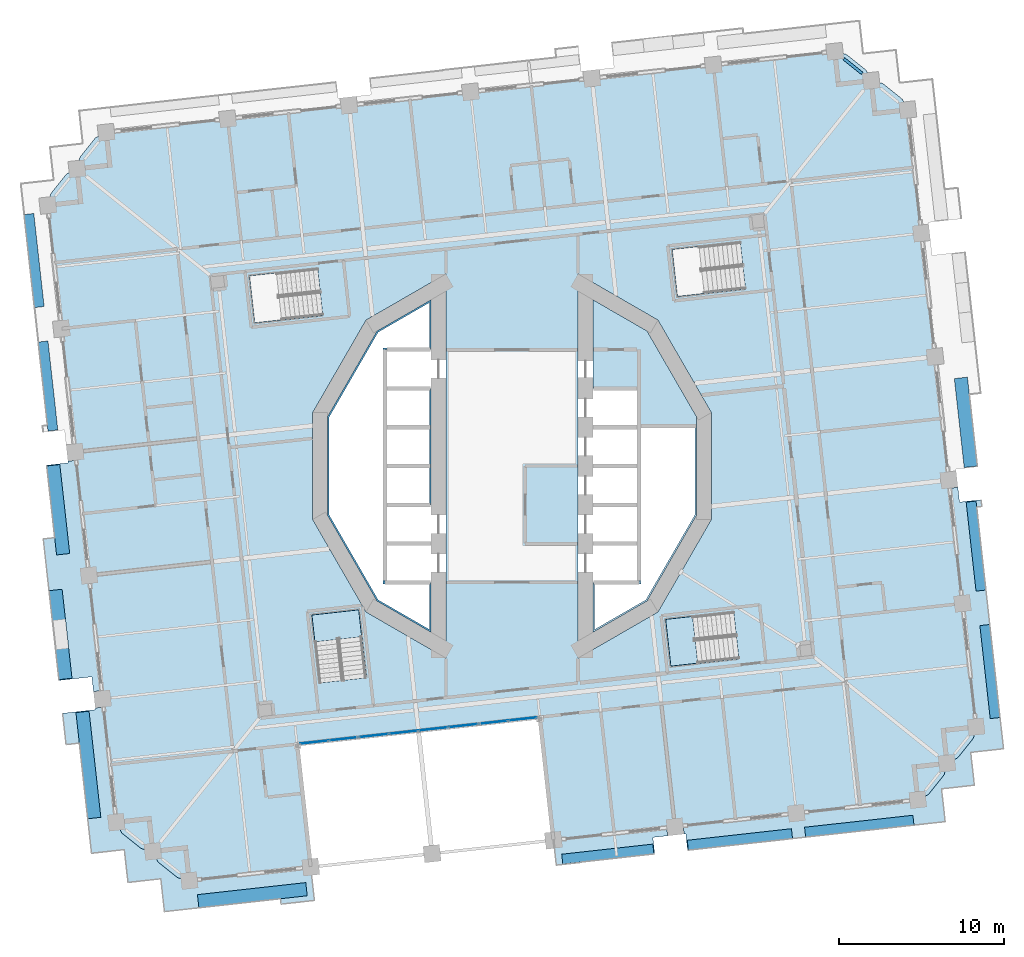
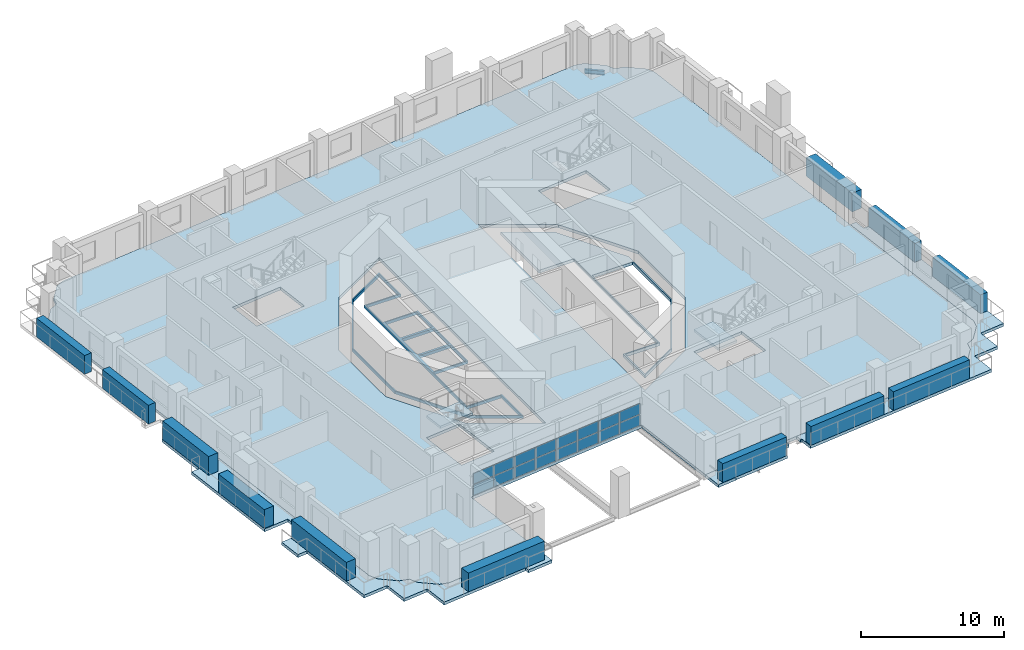
# One storey, part 5 of 21: 28 plates, 9 slabs, 1 beam, 3 elements without a shape of their own.
"""IFC4 building model written with IfcOpenShell, lengths in metres."""

from ifc_helpers import new_model, si_unit, direction, frame, origin, origin_2d, place, context, subcontext, project, spatial, polyline, rectangle, i_section, outline, extrude, material, layer, layer_set, material_profile, profile_set, type_object, element, aggregate, save


model = new_model("IFC4")

# Units and contexts
model_context = context("Model", 3, precision=1e-05, world=origin(), true_north=direction((0.0, 1.0)))
body_context = subcontext(model_context, "Body", "Model", "MODEL_VIEW")
ifc_project = project(units=[si_unit("LENGTHUNIT", "METRE"), si_unit("AREAUNIT", "SQUARE_METRE"), si_unit("VOLUMEUNIT", "CUBIC_METRE"), si_unit("PLANEANGLEUNIT", "RADIAN"), si_unit("MASSUNIT", "GRAM", prefix="KILO")], contexts=[model_context])

# Site, building, storey
site_placement = place(None, origin())
site = spatial("IfcSite", under=ifc_project, at=site_placement, CompositionType="ELEMENT")
building_placement = place(site_placement, origin())
building = spatial("IfcBuilding", under=site, at=building_placement, Name="Cantera Rosa Tower", CompositionType="ELEMENT")
storey_placement = place(building_placement, frame((0.0, 0.0, 80.5)))
storey = spatial("IfcBuildingStorey", under=building, at=storey_placement, Name="L17", CompositionType="ELEMENT", Elevation=80.5)

# Beam
ifc_material_1 = material(Name="Steel ASTM A992 (Fy 345 MPa)", Category="steel")
ifc_material_profile = material_profile(ifc_material_1, i_section(OverallWidth=0.1708984375, OverallDepth=0.35595703125, WebThickness=0.00732421875, FlangeThickness=0.01171875, FilletRadius=0.010009765625, at=origin_2d()), Name="W360X51")
ifc_profile_set = profile_set([ifc_material_profile], Name="Steel ASTM A992 (Fy 345 MPa)")
beam_type = type_object("IfcBeamType", Name="STEEL SPANDREL BEAM W360X51", PredefinedType="SPANDREL", material=ifc_profile_set)
beam_placement = place(storey_placement, frame((21.205810546875, 23.784423828125, -0.427978515625), z_axis=(-0.780818280208, 0.624758203863, 0.0), x_axis=(-0.624758203863, -0.780818280208, 0.0)))
element("IfcBeam", 1, at=beam_placement, inside=storey, type_object=beam_type, Name="EB-Z1-07 L17", PredefinedType="SPANDREL", context=body_context, shape_type="SweptSolid", body=[
    extrude(i_section(OverallWidth=0.1708984375, OverallDepth=0.35595703125, WebThickness=0.00732421875, FlangeThickness=0.01171875, FilletRadius=0.010009765625, at=origin_2d()), origin(), (0.0, 0.0, 1.0), 1.414306640625),
])

# Slabs
ifc_material_2 = material(Name="Concrete C35/45", Category="concrete")
ifc_layer_1 = layer(ifc_material_2, 0.25)
ifc_layer_set_1 = layer_set([ifc_layer_1], Name="COMPOSITE FLOOR SLAB 250 C35/45")
slab_type_1 = type_object("IfcSlabType", Name="COMPOSITE FLOOR SLAB 250 C35/45", PredefinedType="FLOOR", material=ifc_layer_set_1)
slab_1_placement = place(storey_placement, frame((0.0, 0.0, -0.25)))
element("IfcSlab", 2, at=slab_1_placement, inside=storey, type_object=slab_type_1, Name="SLAB L17 floor 1", PredefinedType="FLOOR", context=body_context, shape_type="SweptSolid", body=[
    extrude(outline(polyline([(-7.699951171875, -4.699951171875), (-7.699951171875, -7.050048828125), (-4.89990234375, -7.050048828125), (-4.89990234375, -10.07373046875), (-8.179931640625, -8.179931640625), (-11.174072265625, -2.994140625), (-11.174072265625, 2.994140625), (-8.179931640625, 8.179931640625), (-4.89990234375, 10.07373046875), (-4.89990234375, 7.050048828125), (-7.699951171875, 7.050048828125), (-7.699951171875, 4.699951171875), (-4.89990234375, 4.699951171875), (-4.89990234375, -2.35009765625), (-7.699951171875, -2.35009765625), (-7.699951171875, -4.699951171875)]), holes=[polyline([(-7.60009765625, -0.10009765625), (-7.60009765625, -2.25), (-5.0, -2.25), (-5.0, -0.10009765625), (-7.60009765625, -0.10009765625)]), polyline([(-7.800048828125, 2.449951171875), (-7.800048828125, 7.14990234375), (-5.0, 7.14990234375), (-5.0, 9.900390625), (-8.106689453125, 8.106689453125), (-11.07421875, 2.96728515625), (-11.07421875, -2.96728515625), (-8.106689453125, -8.106689453125), (-5.0, -9.900390625), (-5.0, -7.14990234375), (-7.800048828125, -7.14990234375), (-7.800048828125, -2.449951171875), (-7.800048828125, -2.25), (-7.800048828125, 2.25), (-7.800048828125, 2.449951171875)]), polyline([(-7.60009765625, 0.10009765625), (-5.0, 0.10009765625), (-5.0, 2.25), (-7.60009765625, 2.25), (-7.60009765625, 0.10009765625)]), polyline([(-7.60009765625, 2.449951171875), (-5.0, 2.449951171875), (-5.0, 4.60009765625), (-7.60009765625, 4.60009765625), (-7.60009765625, 2.449951171875)])]), origin(), (0.0, 0.0, 1.0), 0.25),
])
slab_2_placement = place(storey_placement, frame((0.0, 0.0, -0.25)))
element("IfcSlab", 3, at=slab_2_placement, inside=storey, type_object=slab_type_1, Name="SLAB L17 floor 2", PredefinedType="FLOOR", context=body_context, shape_type="SweptSolid", body=[
    extrude(outline(polyline([(-20.288818359375, -24.902099609375), (-21.39306640625, -24.018798828125), (-21.415283203125, -23.999267578125), (-21.435302734375, -23.9775390625), (-21.453125, -23.9541015625), (-21.468505859375, -23.92919921875), (-21.7578125, -23.342529296875), (-22.393310546875, -23.18896484375), (-22.42138671875, -23.179443359375), (-22.447998046875, -23.1669921875), (-22.473388671875, -23.15234375), (-22.497314453125, -23.135009765625), (-23.6015625, -22.25146484375), (-23.62353515625, -22.23193359375), (-23.643798828125, -22.21044921875), (-23.66162109375, -22.18701171875), (-23.677001953125, -22.161865234375), (-23.96630859375, -21.575439453125), (-28.114013671875, 15.795166015625), (-27.960205078125, 16.4306640625), (-27.95068359375, 16.45849609375), (-27.9384765625, 16.4853515625), (-27.923583984375, 16.5107421875), (-27.906494140625, 16.53466796875), (-27.022705078125, 17.638916015625), (-27.00341796875, 17.660888671875), (-26.981689453125, 17.680908203125), (-26.958251953125, 17.69873046875), (-26.933349609375, 17.714111328125), (-26.3466796875, 18.00341796875), (-26.193115234375, 18.63916015625), (-26.18359375, 18.6669921875), (-26.17138671875, 18.693603515625), (-26.156494140625, 18.71923828125), (-26.139404296875, 18.742919921875), (-25.255615234375, 19.84716796875), (-25.236083984375, 19.869384765625), (-25.214599609375, 19.889404296875), (-25.191162109375, 19.9072265625), (-25.166015625, 19.922607421875), (-24.57958984375, 20.2119140625), (18.642578125, 25.00927734375), (19.54931640625, 25.10986328125), (20.18505859375, 24.9560546875), (20.212890625, 24.946533203125), (20.239501953125, 24.934326171875), (20.26513671875, 24.91943359375), (20.288818359375, 24.902099609375), (21.39306640625, 24.018798828125), (21.415283203125, 23.999267578125), (21.435302734375, 23.9775390625), (21.453125, 23.9541015625), (21.468505859375, 23.92919921875), (21.7578125, 23.342529296875), (22.393310546875, 23.18896484375), (22.42138671875, 23.179443359375), (22.447998046875, 23.1669921875), (22.473388671875, 23.15234375), (22.497314453125, 23.135009765625), (23.6015625, 22.25146484375), (23.62353515625, 22.23193359375), (23.643798828125, 22.21044921875), (23.66162109375, 22.18701171875), (23.677001953125, 22.161865234375), (23.96630859375, 21.575439453125), (28.114013671875, -15.795166015625), (27.960205078125, -16.4306640625), (27.95068359375, -16.45849609375), (27.9384765625, -16.4853515625), (27.923583984375, -16.5107421875), (27.906494140625, -16.53466796875), (27.022705078125, -17.638916015625), (27.00341796875, -17.660888671875), (26.981689453125, -17.680908203125), (26.958251953125, -17.69873046875), (26.933349609375, -17.714111328125), (26.3466796875, -18.00341796875), (26.193115234375, -18.63916015625), (26.18359375, -18.6669921875), (26.17138671875, -18.693603515625), (26.156494140625, -18.71923828125), (26.139404296875, -18.742919921875), (25.255615234375, -19.84716796875), (25.236083984375, -19.869384765625), (25.214599609375, -19.889404296875), (25.191162109375, -19.9072265625), (25.166015625, -19.922607421875), (24.57958984375, -20.2119140625), (2.51513671875, -22.660888671875), (1.687744140625, -15.20654296875), (-13.02197265625, -16.839111328125), (-12.194580078125, -24.29345703125), (-18.642578125, -25.00927734375), (-19.54931640625, -25.10986328125), (-20.18505859375, -24.9560546875), (-20.212890625, -24.946533203125), (-20.239501953125, -24.934326171875), (-20.26513671875, -24.91943359375), (-20.288818359375, -24.902099609375)]), holes=[polyline([(-8.83056640625, -12.822265625), (-9.287109375, -8.709716796875), (-12.11962890625, -9.02392578125), (-11.6630859375, -13.13671875), (-8.83056640625, -12.822265625)]), polyline([(-8.8388671875, 8.8388671875), (-12.07421875, 3.235107421875), (-12.07421875, -3.235107421875), (-8.8388671875, -8.8388671875), (-4.0, -11.632568359375), (-4.0, 11.632568359375), (-8.8388671875, 8.8388671875)]), polyline([(-11.46337890625, 9.13671875), (-11.777587890625, 11.969482421875), (-15.890380859375, 11.512939453125), (-15.575927734375, 8.680419921875), (-11.46337890625, 9.13671875)]), polyline([(13.42236328125, -8.83056640625), (9.3095703125, -9.287109375), (9.6240234375, -12.11962890625), (13.73681640625, -11.6630859375), (13.42236328125, -8.83056640625)]), polyline([(8.8388671875, -8.8388671875), (12.07421875, -3.235107421875), (12.07421875, 3.235107421875), (8.8388671875, 8.8388671875), (4.0, 11.632568359375), (4.0, -11.632568359375), (8.8388671875, -8.8388671875)]), polyline([(14.13671875, 10.73681640625), (13.822265625, 13.5693359375), (9.709716796875, 13.11279296875), (10.02392578125, 10.2802734375), (14.13671875, 10.73681640625)])]), origin(), (0.0, 0.0, 1.0), 0.25),
])
slab_3_placement = place(storey_placement, frame((0.0, 0.0, -0.25)))
element("IfcSlab", 4, at=slab_3_placement, inside=storey, type_object=slab_type_1, Name="SLAB L17 floor 3", PredefinedType="FLOOR", context=body_context, shape_type="SweptSolid", body=[
    extrude(outline(polyline([(7.699951171875, 0.0), (7.699951171875, 2.35009765625), (7.699951171875, 4.699951171875), (4.89990234375, 4.699951171875), (4.89990234375, 10.07373046875), (8.179931640625, 8.179931640625), (11.174072265625, 2.994140625), (11.174072265625, -2.994140625), (8.179931640625, -8.179931640625), (4.89990234375, -10.07373046875), (4.89990234375, -7.050048828125), (7.699951171875, -7.050048828125), (7.699951171875, -4.699951171875), (7.699951171875, -2.35009765625), (7.699951171875, 0.0)]), holes=[polyline([(7.800048828125, 2.25), (7.800048828125, -2.25), (7.800048828125, -2.449951171875), (7.800048828125, -7.14990234375), (5.0, -7.14990234375), (5.0, -9.900390625), (8.106689453125, -8.106689453125), (11.07421875, -2.96728515625), (11.07421875, 2.317626953125), (7.800048828125, 2.317626953125), (7.800048828125, 2.25)])]), origin(), (0.0, 0.0, 1.0), 0.25),
])

# Curtain wall, plates
ifc_material_3 = material(Name="Aluminium frame with clear glass", Category="aluminium")
curtain_wall_type = type_object("IfcCurtainWallType", Name="CW1 TERRACE POCKET GLAZING", PredefinedType="NOTDEFINED", material=ifc_material_3)
curtain_wall_placement = place(storey_placement, origin())
curtain_wall = element("IfcCurtainWall", 5, at=curtain_wall_placement, inside=storey, type_object=curtain_wall_type, Name="CW1 CW1", PredefinedType="NOTDEFINED")
ifc_material_4 = material(Name="Aluminium frame with clear glass", Category="aluminium")
ifc_layer_2 = layer(ifc_material_4, 0.028076171875)
ifc_layer_set_2 = layer_set([ifc_layer_2], Name="CW-PANEL POCKET")
plate_type_1 = type_object("IfcPlateType", Name="CW-PANEL POCKET", PredefinedType="CURTAIN_PANEL", material=ifc_layer_set_2)
plate_1_placement = place(storey_placement, frame((-11.97900390625, -16.723388671875, 0.06005859375), z_axis=(0.0, 0.0, 1.0), x_axis=(0.993896946413, 0.110312555543, 0.0)))
plate_1 = element("IfcPlate", 6, at=plate_1_placement, type_object=plate_type_1, Name="CW1 panel 1.1", PredefinedType="CURTAIN_PANEL", context=body_context, shape_type="SweptSolid", body=[
    extrude(rectangle(XDim=1.728759765625, YDim=0.028076171875, at=origin_2d()), origin(), (0.0, 0.0, 1.0), 0.903076171875),
])
plate_2_placement = place(storey_placement, frame((-11.97900390625, -16.723388671875, 1.02294921875), z_axis=(0.0, 0.0, 1.0), x_axis=(0.993896946413, 0.110312555543, 0.0)))
plate_2 = element("IfcPlate", 7, at=plate_2_placement, type_object=plate_type_1, Name="CW1 panel 1.2", PredefinedType="CURTAIN_PANEL", context=body_context, shape_type="SweptSolid", body=[
    extrude(rectangle(XDim=1.728759765625, YDim=0.028076171875, at=origin_2d()), origin(), (0.0, 0.0, 1.0), 0.903076171875),
])
plate_3_placement = place(storey_placement, frame((-10.186279296875, -16.5244140625, 0.06005859375), z_axis=(0.0, 0.0, 1.0), x_axis=(0.993896946413, 0.110312555543, 0.0)))
plate_3 = element("IfcPlate", 8, at=plate_3_placement, type_object=plate_type_1, Name="CW1 panel 2.1", PredefinedType="CURTAIN_PANEL", context=body_context, shape_type="SweptSolid", body=[
    extrude(rectangle(XDim=1.7587890625, YDim=0.028076171875, at=origin_2d()), origin(), (0.0, 0.0, 1.0), 0.903076171875),
])
plate_4_placement = place(storey_placement, frame((-10.186279296875, -16.5244140625, 1.02294921875), z_axis=(0.0, 0.0, 1.0), x_axis=(0.993896946413, 0.110312555543, 0.0)))
plate_4 = element("IfcPlate", 9, at=plate_4_placement, type_object=plate_type_1, Name="CW1 panel 2.2", PredefinedType="CURTAIN_PANEL", context=body_context, shape_type="SweptSolid", body=[
    extrude(rectangle(XDim=1.7587890625, YDim=0.028076171875, at=origin_2d()), origin(), (0.0, 0.0, 1.0), 0.903076171875),
])
plate_5_placement = place(storey_placement, frame((-8.37841796875, -16.323974609375, 0.06005859375), z_axis=(0.0, 0.0, 1.0), x_axis=(0.993896946413, 0.110312555543, 0.0)))
plate_5 = element("IfcPlate", 10, at=plate_5_placement, type_object=plate_type_1, Name="CW1 panel 3.1", PredefinedType="CURTAIN_PANEL", context=body_context, shape_type="SweptSolid", body=[
    extrude(rectangle(XDim=1.7587890625, YDim=0.028076171875, at=origin_2d()), origin(), (0.0, 0.0, 1.0), 0.903076171875),
])
plate_6_placement = place(storey_placement, frame((-8.37841796875, -16.323974609375, 1.02294921875), z_axis=(0.0, 0.0, 1.0), x_axis=(0.993896946413, 0.110312555543, 0.0)))
plate_6 = element("IfcPlate", 11, at=plate_6_placement, type_object=plate_type_1, Name="CW1 panel 3.2", PredefinedType="CURTAIN_PANEL", context=body_context, shape_type="SweptSolid", body=[
    extrude(rectangle(XDim=1.7587890625, YDim=0.028076171875, at=origin_2d()), origin(), (0.0, 0.0, 1.0), 0.903076171875),
])
plate_7_placement = place(storey_placement, frame((-6.57080078125, -16.123291015625, 0.06005859375), z_axis=(0.0, 0.0, 1.0), x_axis=(0.993896946413, 0.110312555543, 0.0)))
plate_7 = element("IfcPlate", 12, at=plate_7_placement, type_object=plate_type_1, Name="CW1 panel 4.1", PredefinedType="CURTAIN_PANEL", context=body_context, shape_type="SweptSolid", body=[
    extrude(rectangle(XDim=1.7587890625, YDim=0.028076171875, at=origin_2d()), origin(), (0.0, 0.0, 1.0), 0.903076171875),
])
plate_8_placement = place(storey_placement, frame((-6.57080078125, -16.123291015625, 1.02294921875), z_axis=(0.0, 0.0, 1.0), x_axis=(0.993896946413, 0.110312555543, 0.0)))
plate_8 = element("IfcPlate", 13, at=plate_8_placement, type_object=plate_type_1, Name="CW1 panel 4.2", PredefinedType="CURTAIN_PANEL", context=body_context, shape_type="SweptSolid", body=[
    extrude(rectangle(XDim=1.7587890625, YDim=0.028076171875, at=origin_2d()), origin(), (0.0, 0.0, 1.0), 0.903076171875),
])
plate_9_placement = place(storey_placement, frame((-4.76318359375, -15.922607421875, 0.06005859375), z_axis=(0.0, 0.0, 1.0), x_axis=(0.993896946413, 0.110312555543, 0.0)))
plate_9 = element("IfcPlate", 14, at=plate_9_placement, type_object=plate_type_1, Name="CW1 panel 5.1", PredefinedType="CURTAIN_PANEL", context=body_context, shape_type="SweptSolid", body=[
    extrude(rectangle(XDim=1.7587890625, YDim=0.028076171875, at=origin_2d()), origin(), (0.0, 0.0, 1.0), 0.903076171875),
])
plate_10_placement = place(storey_placement, frame((-4.76318359375, -15.922607421875, 1.02294921875), z_axis=(0.0, 0.0, 1.0), x_axis=(0.993896946413, 0.110312555543, 0.0)))
plate_10 = element("IfcPlate", 15, at=plate_10_placement, type_object=plate_type_1, Name="CW1 panel 5.2", PredefinedType="CURTAIN_PANEL", context=body_context, shape_type="SweptSolid", body=[
    extrude(rectangle(XDim=1.7587890625, YDim=0.028076171875, at=origin_2d()), origin(), (0.0, 0.0, 1.0), 0.903076171875),
])
plate_11_placement = place(storey_placement, frame((-2.95556640625, -15.721923828125, 0.06005859375), z_axis=(0.0, 0.0, 1.0), x_axis=(0.993896946413, 0.110312555543, 0.0)))
plate_11 = element("IfcPlate", 16, at=plate_11_placement, type_object=plate_type_1, Name="CW1 panel 6.1", PredefinedType="CURTAIN_PANEL", context=body_context, shape_type="SweptSolid", body=[
    extrude(rectangle(XDim=1.7587890625, YDim=0.028076171875, at=origin_2d()), origin(), (0.0, 0.0, 1.0), 0.903076171875),
])
plate_12_placement = place(storey_placement, frame((-2.95556640625, -15.721923828125, 1.02294921875), z_axis=(0.0, 0.0, 1.0), x_axis=(0.993896946413, 0.110312555543, 0.0)))
plate_12 = element("IfcPlate", 17, at=plate_12_placement, type_object=plate_type_1, Name="CW1 panel 6.2", PredefinedType="CURTAIN_PANEL", context=body_context, shape_type="SweptSolid", body=[
    extrude(rectangle(XDim=1.7587890625, YDim=0.028076171875, at=origin_2d()), origin(), (0.0, 0.0, 1.0), 0.903076171875),
])
plate_13_placement = place(storey_placement, frame((-1.14794921875, -15.521240234375, 0.06005859375), z_axis=(0.0, 0.0, 1.0), x_axis=(0.993896946413, 0.110312555543, 0.0)))
plate_13 = element("IfcPlate", 18, at=plate_13_placement, type_object=plate_type_1, Name="CW1 panel 7.1", PredefinedType="CURTAIN_PANEL", context=body_context, shape_type="SweptSolid", body=[
    extrude(rectangle(XDim=1.7587890625, YDim=0.028076171875, at=origin_2d()), origin(), (0.0, 0.0, 1.0), 0.903076171875),
])
plate_14_placement = place(storey_placement, frame((-1.14794921875, -15.521240234375, 1.02294921875), z_axis=(0.0, 0.0, 1.0), x_axis=(0.993896946413, 0.110312555543, 0.0)))
plate_14 = element("IfcPlate", 19, at=plate_14_placement, type_object=plate_type_1, Name="CW1 panel 7.2", PredefinedType="CURTAIN_PANEL", context=body_context, shape_type="SweptSolid", body=[
    extrude(rectangle(XDim=1.7587890625, YDim=0.028076171875, at=origin_2d()), origin(), (0.0, 0.0, 1.0), 0.903076171875),
])
plate_15_placement = place(storey_placement, frame((0.644775390625, -15.322265625, 0.06005859375), z_axis=(0.0, 0.0, 1.0), x_axis=(0.993896946413, 0.110312555543, 0.0)))
plate_15 = element("IfcPlate", 20, at=plate_15_placement, type_object=plate_type_1, Name="CW1 panel 8.1", PredefinedType="CURTAIN_PANEL", context=body_context, shape_type="SweptSolid", body=[
    extrude(rectangle(XDim=1.728759765625, YDim=0.028076171875, at=origin_2d()), origin(), (0.0, 0.0, 1.0), 0.903076171875),
])
plate_16_placement = place(storey_placement, frame((0.644775390625, -15.322265625, 1.02294921875), z_axis=(0.0, 0.0, 1.0), x_axis=(0.993896946413, 0.110312555543, 0.0)))
plate_16 = element("IfcPlate", 21, at=plate_16_placement, type_object=plate_type_1, Name="CW1 panel 8.2", PredefinedType="CURTAIN_PANEL", context=body_context, shape_type="SweptSolid", body=[
    extrude(rectangle(XDim=1.728759765625, YDim=0.028076171875, at=origin_2d()), origin(), (0.0, 0.0, 1.0), 0.903076171875),
])
aggregate(curtain_wall, [plate_1, plate_2, plate_3, plate_4, plate_5, plate_6, plate_7, plate_8, plate_9, plate_10, plate_11, plate_12, plate_13, plate_14, plate_15, plate_16])

# Slabs
ifc_material_5 = material(Name="Concrete C35/45", Category="concrete")
ifc_layer_3 = layer(ifc_material_5, 0.25)
ifc_layer_set_3 = layer_set([ifc_layer_3], Name="LOGGIA SLAB 250 C35/45")
slab_type_2 = type_object("IfcSlabType", Name="LOGGIA SLAB 250 C35/45", PredefinedType="FLOOR", material=ifc_layer_set_3)
slab_4_placement = place(storey_placement, frame((0.0, 0.0, -0.25)))
element("IfcSlab", 22, at=slab_4_placement, inside=storey, type_object=slab_type_2, Name="LOGGIA SLAB L17 1", PredefinedType="FLOOR", context=body_context, shape_type="SweptSolid", body=[
    extrude(outline(polyline([(-28.18896484375, 0.05078125), (-26.885498046875, 0.1953125), (-26.896728515625, 0.294921875), (-26.399658203125, 0.349853515625), (-24.850830078125, -13.6044921875), (-25.347900390625, -13.65966796875), (-25.447265625, -12.764892578125), (-27.44140625, -12.986328125), (-28.39306640625, -4.41259765625), (-27.701904296875, -4.335693359375), (-28.18896484375, 0.05078125)])), origin(), (0.0, 0.0, 1.0), 0.25),
])
slab_5_placement = place(storey_placement, frame((0.0, 0.0, -0.25)))
element("IfcSlab", 23, at=slab_5_placement, inside=storey, type_object=slab_type_2, Name="LOGGIA SLAB L17 3", PredefinedType="FLOOR", context=body_context, shape_type="SweptSolid", body=[
    extrude(outline(polyline([(-19.36181640625, -26.79931640625), (-21.051513671875, -26.98681640625), (-21.239013671875, -25.29736328125), (-21.272216796875, -24.999267578125), (-21.5703125, -25.0322265625), (-23.260009765625, -25.2197265625), (-23.447509765625, -23.5302734375), (-23.48046875, -23.23193359375), (-23.77880859375, -23.26513671875), (-25.46826171875, -23.45263671875), (-25.65576171875, -21.762939453125), (-26.208984375, -16.780029296875), (-27.010498046875, -16.869140625), (-27.220947265625, -14.97412109375), (-25.2265625, -14.752685546875), (-25.237548828125, -14.653564453125), (-24.740478515625, -14.598388671875), (-23.96630859375, -21.575439453125), (-23.677001953125, -22.161865234375), (-23.66162109375, -22.18701171875), (-23.643798828125, -22.21044921875), (-23.62353515625, -22.23193359375), (-23.6015625, -22.25146484375), (-22.497314453125, -23.135009765625), (-22.473388671875, -23.15234375), (-22.447998046875, -23.1669921875), (-22.42138671875, -23.179443359375), (-22.393310546875, -23.18896484375), (-21.7578125, -23.342529296875), (-21.468505859375, -23.92919921875), (-21.453125, -23.9541015625), (-21.435302734375, -23.9775390625), (-21.415283203125, -23.999267578125), (-21.39306640625, -24.018798828125), (-20.288818359375, -24.902099609375), (-20.26513671875, -24.91943359375), (-20.239501953125, -24.934326171875), (-20.212890625, -24.946533203125), (-20.18505859375, -24.9560546875), (-19.54931640625, -25.10986328125), (-18.642578125, -25.00927734375), (-12.194580078125, -24.29345703125), (-11.970703125, -26.309326171875), (-13.98681640625, -26.533203125), (-14.02294921875, -26.206787109375), (-19.36181640625, -26.79931640625)])), origin(), (0.0, 0.0, 1.0), 0.25),
])
slab_6_placement = place(storey_placement, frame((0.0, 0.0, -0.25)))
element("IfcSlab", 24, at=slab_6_placement, inside=storey, type_object=slab_type_2, Name="LOGGIA SLAB L17 5", PredefinedType="FLOOR", context=body_context, shape_type="SweptSolid", body=[
    extrude(outline(polyline([(9.42822265625, -22.396484375), (8.53369140625, -22.495849609375), (8.64404296875, -23.48974609375), (8.544677734375, -23.5009765625), (4.19287109375, -23.98388671875), (4.1953125, -24.005126953125), (2.68310546875, -24.173095703125), (2.51513671875, -22.660888671875), (9.373046875, -21.899658203125), (9.42822265625, -22.396484375)])), origin(), (0.0, 0.0, 1.0), 0.25),
])
slab_7_placement = place(storey_placement, frame((0.0, 0.0, -0.25)))
element("IfcSlab", 25, at=slab_7_placement, inside=storey, type_object=slab_type_2, Name="LOGGIA SLAB L17 7", PredefinedType="FLOOR", context=body_context, shape_type="SweptSolid", body=[
    extrude(outline(polyline([(28.60986328125, -6.664794921875), (28.940673828125, -9.646240234375), (29.604736328125, -15.629638671875), (29.770263671875, -17.12060546875), (28.279296875, -17.285888671875), (27.782470703125, -17.341064453125), (27.837646484375, -17.837890625), (28.003173828125, -19.328857421875), (26.51220703125, -19.494384765625), (26.015380859375, -19.549560546875), (26.070556640625, -20.04638671875), (26.236083984375, -21.537353515625), (24.7451171875, -21.702880859375), (18.881103515625, -22.353515625), (15.8994140625, -22.6845703125), (11.5263671875, -23.169921875), (10.6318359375, -23.269287109375), (10.521484375, -22.275390625), (10.422119140625, -22.286376953125), (10.366943359375, -21.789306640625), (24.57958984375, -20.2119140625), (25.166015625, -19.922607421875), (25.191162109375, -19.9072265625), (25.214599609375, -19.889404296875), (25.236083984375, -19.869384765625), (25.255615234375, -19.84716796875), (26.139404296875, -18.742919921875), (26.156494140625, -18.71923828125), (26.17138671875, -18.693603515625), (26.18359375, -18.6669921875), (26.193115234375, -18.63916015625), (26.3466796875, -18.00341796875), (26.933349609375, -17.714111328125), (26.958251953125, -17.69873046875), (26.981689453125, -17.680908203125), (27.00341796875, -17.660888671875), (27.022705078125, -17.638916015625), (27.906494140625, -16.53466796875), (27.923583984375, -16.5107421875), (27.9384765625, -16.4853515625), (27.95068359375, -16.45849609375), (27.960205078125, -16.4306640625), (28.114013671875, -15.795166015625), (26.510009765625, -1.34375), (27.007080078125, -1.288818359375), (27.106201171875, -2.18310546875), (28.409423828125, -2.03857421875), (28.454833984375, -2.447265625), (28.1455078125, -2.481689453125), (28.60986328125, -6.664794921875)])), origin(), (0.0, 0.0, 1.0), 0.25),
])

# Plates
ifc_material_6 = material(Name="Cantera stone planter with soil", Category="masonry")
plate_type_2 = type_object("IfcPlateType", Name="PLANTER 600", PredefinedType="USERDEFINED", material=ifc_material_6)
plate_17_placement = place(storey_placement, frame((28.94970703125, -12.447509765625, 0.0), z_axis=(0.0, 0.0, 1.0), x_axis=(-0.110312555526, 0.993896946415, 0.0)))
element("IfcPlate", 26, at=plate_17_placement, inside=storey, type_object=plate_type_2, Name="PLANTER L17-01", ObjectType="PLANTER", PredefinedType="USERDEFINED", context=body_context, shape_type="SweptSolid", body=[
    extrude(rectangle(XDim=5.669921875, YDim=0.60009765625, at=origin_2d()), origin(), (0.0, 0.0, 1.0), 1.60009765625),
])
plate_18_placement = place(storey_placement, frame((28.1064453125, -4.84912109375, 0.0), z_axis=(0.0, 0.0, 1.0), x_axis=(-0.110312555526, 0.993896946415, 0.0)))
element("IfcPlate", 27, at=plate_18_placement, inside=storey, type_object=plate_type_2, Name="PLANTER L17-02", ObjectType="PLANTER", PredefinedType="USERDEFINED", context=body_context, shape_type="SweptSolid", body=[
    extrude(rectangle(XDim=5.419921875, YDim=0.60009765625, at=origin_2d()), origin(), (0.0, 0.0, 1.0), 1.60009765625),
])
plate_19_placement = place(storey_placement, frame((-28.94970703125, 12.447509765625, 0.0), z_axis=(0.0, 0.0, 1.0), x_axis=(0.110312555526, -0.993896946415, 0.0)))
element("IfcPlate", 28, at=plate_19_placement, inside=storey, type_object=plate_type_2, Name="PLANTER L17-12", ObjectType="PLANTER", PredefinedType="USERDEFINED", context=body_context, shape_type="SweptSolid", body=[
    extrude(rectangle(XDim=5.669921875, YDim=0.60009765625, at=origin_2d()), origin(), (0.0, 0.0, 1.0), 1.60009765625),
])
plate_20_placement = place(storey_placement, frame((-28.1064453125, 4.84912109375, 0.0), z_axis=(0.0, 0.0, 1.0), x_axis=(0.110312555526, -0.993896946415, 0.0)))
element("IfcPlate", 29, at=plate_20_placement, inside=storey, type_object=plate_type_2, Name="PLANTER L17-13", ObjectType="PLANTER", PredefinedType="USERDEFINED", context=body_context, shape_type="SweptSolid", body=[
    extrude(rectangle(XDim=5.419921875, YDim=0.60009765625, at=origin_2d()), origin(), (0.0, 0.0, 1.0), 1.60009765625),
])
plate_21_placement = place(storey_placement, frame((5.80322265625, -23.503173828125, 0.0), z_axis=(0.0, 0.0, 1.0), x_axis=(0.993896946415, 0.110312555526, 0.0)))
element("IfcPlate", 30, at=plate_21_placement, inside=storey, type_object=plate_type_2, Name="PLANTER L17-20", ObjectType="PLANTER", PredefinedType="USERDEFINED", context=body_context, shape_type="SweptSolid", body=[
    extrude(rectangle(XDim=5.550048828125, YDim=0.60009765625, at=origin_2d()), origin(), (0.0, 0.0, 1.0), 1.60009765625),
])
plate_22_placement = place(storey_placement, frame((13.803955078125, -22.615234375, 0.0), z_axis=(0.0, 0.0, 1.0), x_axis=(0.993896946415, 0.110312555526, 0.0)))
element("IfcPlate", 31, at=plate_22_placement, inside=storey, type_object=plate_type_2, Name="PLANTER L17-21", ObjectType="PLANTER", PredefinedType="USERDEFINED", context=body_context, shape_type="SweptSolid", body=[
    extrude(rectangle(XDim=6.35009765625, YDim=0.60009765625, at=origin_2d()), origin(), (0.0, 0.0, 1.0), 1.60009765625),
])
plate_23_placement = place(storey_placement, frame((21.03466796875, -21.812744140625, 0.0), z_axis=(0.0, 0.0, 1.0), x_axis=(0.993896946415, 0.110312555526, 0.0)))
element("IfcPlate", 32, at=plate_23_placement, inside=storey, type_object=plate_type_2, Name="PLANTER L17-22", ObjectType="PLANTER", PredefinedType="USERDEFINED", context=body_context, shape_type="SweptSolid", body=[
    extrude(rectangle(XDim=6.60009765625, YDim=0.60009765625, at=origin_2d()), origin(), (0.0, 0.0, 1.0), 1.60009765625),
])
ifc_material_7 = material(Name="Cantera stone planter with soil", Category="masonry")
plate_type_3 = type_object("IfcPlateType", Name="PLANTER 800", PredefinedType="USERDEFINED", material=ifc_material_7)
for number, where, z_axis, x_axis, name in (
    (33, (27.48681640625, 2.648193359375, 0.0), (0.0, 0.0, 1.0), (-0.110312555526, 0.993896946415, 0.0), "PLANTER L17-03"),
    (34, (-27.48681640625, -2.648193359375, 0.0), (0.0, 0.0, 1.0), (0.110312555526, -0.993896946415, 0.0), "PLANTER L17-14"),
    (35, (-27.348388671875, -10.19921875, 0.0), (0.0, 0.0, 1.0), (0.110312555526, -0.993896946415, 0.0), "PLANTER L17-15"),
):
    element("IfcPlate", number, at=place(storey_placement, frame(where, z_axis=z_axis, x_axis=x_axis)), inside=storey, type_object=plate_type_3, Name=name, ObjectType="PLANTER", PredefinedType="USERDEFINED", context=body_context, shape_type="SweptSolid", body=[
        extrude(rectangle(XDim=5.419921875, YDim=0.800048828125, at=origin_2d()), origin(), (0.0, 0.0, 1.0), 1.60009765625),
    ])
plate_24_placement = place(storey_placement, frame((-25.6591796875, -18.10595703125, 0.0), z_axis=(0.0, 0.0, 1.0), x_axis=(0.110312555526, -0.993896946415, 0.0)))
element("IfcPlate", 36, at=plate_24_placement, inside=storey, type_object=plate_type_3, Name="PLANTER L17-16", ObjectType="PLANTER", PredefinedType="USERDEFINED", context=body_context, shape_type="SweptSolid", body=[
    extrude(rectangle(XDim=6.469970703125, YDim=0.800048828125, at=origin_2d()), origin(), (0.0, 0.0, 1.0), 1.60009765625),
])
plate_25_placement = place(storey_placement, frame((-15.728515625, -25.99365234375, 0.0), z_axis=(0.0, 0.0, 1.0), x_axis=(0.993896946415, 0.110312555526, 0.0)))
element("IfcPlate", 37, at=plate_25_placement, inside=storey, type_object=plate_type_3, Name="PLANTER L17-17", ObjectType="PLANTER", PredefinedType="USERDEFINED", context=body_context, shape_type="SweptSolid", body=[
    extrude(rectangle(XDim=6.60009765625, YDim=0.800048828125, at=origin_2d()), origin(), (0.0, 0.0, 1.0), 1.60009765625),
])

# Stair, slab
ifc_material_8 = material(Name="Concrete C35/45", Category="concrete")
stair_type = type_object("IfcStairType", Name="EXIT STAIR 1350 DOGLEG", PredefinedType="HALF_TURN_STAIR", material=ifc_material_8)
stair_1_placement = place(storey_placement, origin())
stair_1 = element("IfcStair", 38, at=stair_1_placement, inside=storey, type_object=stair_type, Name="L17 ST-13", PredefinedType="HALF_TURN_STAIR")
ifc_material_9 = material(Name="Concrete C35/45", Category="concrete")
ifc_layer_4 = layer(ifc_material_9, 0.199951171875)
ifc_layer_set_4 = layer_set([ifc_layer_4], Name="STAIR LANDING 200")
slab_type_3 = type_object("IfcSlabType", Name="STAIR LANDING 200", PredefinedType="LANDING", material=ifc_layer_set_4)
slab_8_placement = place(storey_placement, frame((0.0, 0.0, 1.699951171875)))
slab_8 = element("IfcSlab", 39, at=slab_8_placement, type_object=slab_type_3, Name="ST-13 landing 1", PredefinedType="LANDING", context=body_context, shape_type="SweptSolid", body=[
    extrude(outline(polyline([(-9.10595703125, -10.341552734375), (-9.287109375, -8.70947265625), (-12.11962890625, -9.02392578125), (-11.9384765625, -10.656005859375), (-9.10595703125, -10.341552734375)])), origin(), (0.0, 0.0, 1.0), 0.199951171875),
])
aggregate(stair_1, [slab_8])

stair_2_placement = place(storey_placement, origin())
stair_2 = element("IfcStair", 40, at=stair_2_placement, inside=storey, type_object=stair_type, Name="L17 ST-14", PredefinedType="HALF_TURN_STAIR")
slab_9_placement = place(storey_placement, frame((0.0, 0.0, 1.699951171875)))
slab_9 = element("IfcSlab", 41, at=slab_9_placement, type_object=slab_type_3, Name="ST-14 landing 1", PredefinedType="LANDING", context=body_context, shape_type="SweptSolid", body=[
    extrude(outline(polyline([(10.941650390625, -9.10595703125), (9.3095703125, -9.287109375), (9.6240234375, -12.11962890625), (11.255859375, -11.9384765625), (10.941650390625, -9.10595703125)])), origin(), (0.0, 0.0, 1.0), 0.199951171875),
])
aggregate(stair_2, [slab_9])

save(model, "model.ifc")
